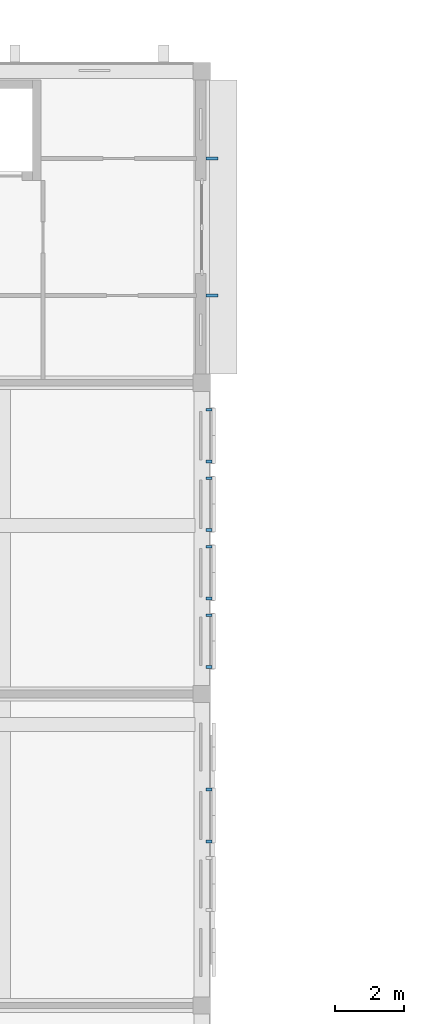
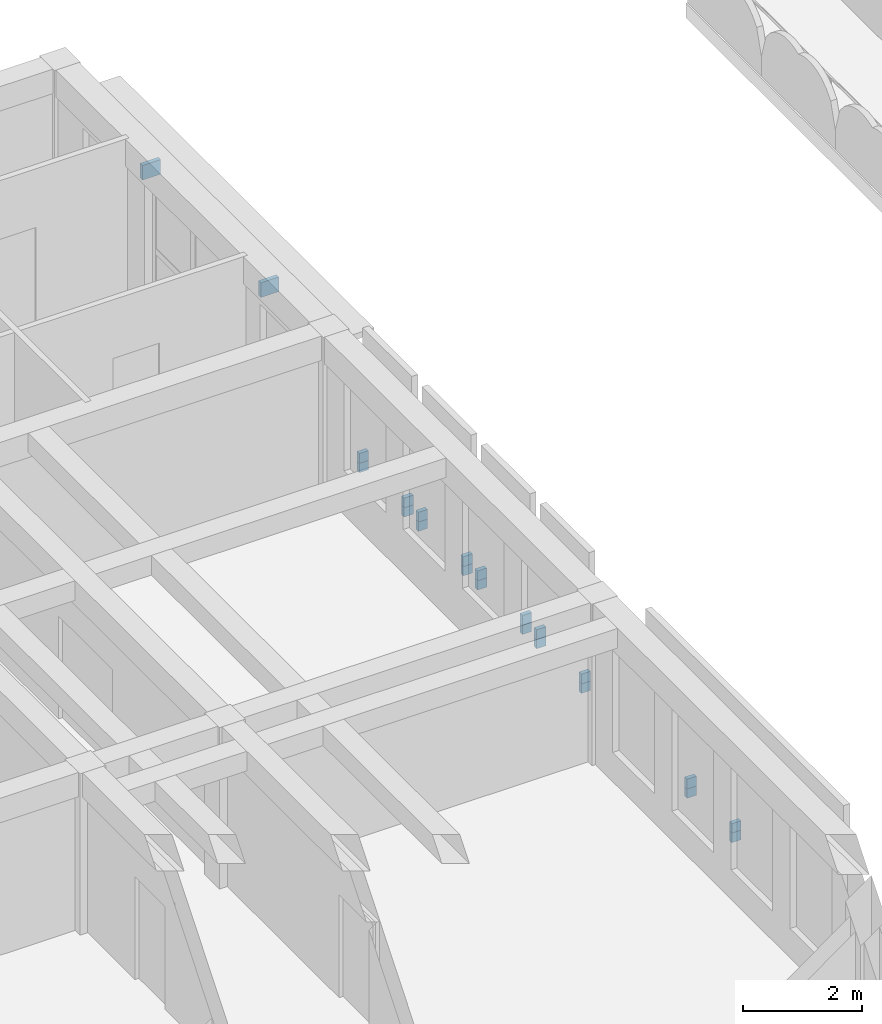
# One storey, part 39 of 50: 22 discrete accessories.
"""IFC4 building model written with IfcOpenShell, lengths in metres."""

from ifc_helpers import new_model, si_unit, direction, frame, origin, origin_2d, place, context, subcontext, project, spatial, rectangle, extrude, material, type_object, element, save


model = new_model("IFC4")

# Units and contexts
model_context = context("Model", 3, precision=1e-05, world=origin(), true_north=direction((0.0, 1.0)))
body_context = subcontext(model_context, "Body", "Model", "MODEL_VIEW")
ifc_project = project(units=[si_unit("LENGTHUNIT", "METRE"), si_unit("AREAUNIT", "SQUARE_METRE"), si_unit("VOLUMEUNIT", "CUBIC_METRE"), si_unit("PLANEANGLEUNIT", "RADIAN"), si_unit("MASSUNIT", "GRAM", prefix="KILO")], contexts=[model_context])

# Site, building, storey
site_placement = place(None, origin())
site = spatial("IfcSite", under=ifc_project, at=site_placement, CompositionType="ELEMENT")
building_placement = place(site_placement, origin())
building = spatial("IfcBuilding", under=site, at=building_placement, Name="Elbe Cascade School", CompositionType="ELEMENT")
storey_placement = place(building_placement, frame((0.0, 0.0, 15.300048828125)))
storey = spatial("IfcBuildingStorey", under=building, at=storey_placement, Name="L04", CompositionType="ELEMENT", Elevation=15.300048828125)

# Discrete accessories
ifc_material = material(Name="Steel S355J2, hot-dip galvanised", Category="steel")
discrete_accessory_type = type_object("IfcDiscreteAccessoryType", Name="Bars envelope Bracket, galvanised steel", PredefinedType="BRACKET", material=ifc_material)
for number, where, z_axis, x_axis, name in (
    (1, (86.31005859375, 37.739990234375, 0.75), (0.0, 0.0, 1.0), (0.0, 1.0, 0.0), "Bracket AC7 jali.e.4.br3ll"),
    (2, (86.31005859375, 37.739990234375, 0.93994140625), (0.0, 0.0, 1.0), (0.0, 1.0, 0.0), "Bracket AC7 jali.e.4.br3lu"),
    (3, (86.31005859375, 39.239990234375, 0.75), (0.0, 0.0, 1.0), (0.0, 1.0, 0.0), "Bracket AC7 jali.e.4.br3rl"),
    (4, (86.31005859375, 39.239990234375, 0.93994140625), (0.0, 0.0, 1.0), (0.0, 1.0, 0.0), "Bracket AC7 jali.e.4.br3ru"),
    (5, (86.31005859375, 42.780029296875, 0.75), (0.0, 0.0, 1.0), (0.0, 1.0, 0.0), "Bracket AC7 jali.e.5.br1ll"),
    (6, (86.31005859375, 42.780029296875, 0.93994140625), (0.0, 0.0, 1.0), (0.0, 1.0, 0.0), "Bracket AC7 jali.e.5.br1lu"),
    (7, (86.31005859375, 44.280029296875, 0.75), (0.0, 0.0, 1.0), (0.0, 1.0, 0.0), "Bracket AC7 jali.e.5.br1rl"),
    (8, (86.31005859375, 44.280029296875, 0.93994140625), (0.0, 0.0, 1.0), (0.0, 1.0, 0.0), "Bracket AC7 jali.e.5.br1ru"),
    (9, (86.31005859375, 44.760009765625, 0.75), (0.0, 0.0, 1.0), (0.0, 1.0, 0.0), "Bracket AC7 jali.e.5.br2ll"),
    (10, (86.31005859375, 44.760009765625, 0.93994140625), (0.0, 0.0, 1.0), (0.0, 1.0, 0.0), "Bracket AC7 jali.e.5.br2lu"),
    (11, (86.31005859375, 46.260009765625, 0.75), (0.0, 0.0, 1.0), (0.0, 1.0, 0.0), "Bracket AC7 jali.e.5.br2rl"),
    (12, (86.31005859375, 46.260009765625, 0.93994140625), (0.0, 0.0, 1.0), (0.0, 1.0, 0.0), "Bracket AC7 jali.e.5.br2ru"),
    (13, (86.31005859375, 46.739990234375, 0.75), (0.0, 0.0, 1.0), (0.0, 1.0, 0.0), "Bracket AC7 jali.e.5.br3ll"),
    (14, (86.31005859375, 46.739990234375, 0.93994140625), (0.0, 0.0, 1.0), (0.0, 1.0, 0.0), "Bracket AC7 jali.e.5.br3lu"),
    (15, (86.31005859375, 48.239990234375, 0.75), (0.0, 0.0, 1.0), (0.0, 1.0, 0.0), "Bracket AC7 jali.e.5.br3rl"),
    (16, (86.31005859375, 48.239990234375, 0.93994140625), (0.0, 0.0, 1.0), (0.0, 1.0, 0.0), "Bracket AC7 jali.e.5.br3ru"),
    (17, (86.31005859375, 48.719970703125, 0.75), (0.0, 0.0, 1.0), (0.0, 1.0, 0.0), "Bracket AC7 jali.e.5.br4ll"),
    (18, (86.31005859375, 48.719970703125, 0.93994140625), (0.0, 0.0, 1.0), (0.0, 1.0, 0.0), "Bracket AC7 jali.e.5.br4lu"),
    (19, (86.31005859375, 50.219970703125, 0.75), (0.0, 0.0, 1.0), (0.0, 1.0, 0.0), "Bracket AC7 jali.e.5.br4rl"),
    (20, (86.31005859375, 50.219970703125, 0.93994140625), (0.0, 0.0, 1.0), (0.0, 1.0, 0.0), "Bracket AC7 jali.e.5.br4ru"),
):
    element("IfcDiscreteAccessory", number, at=place(storey_placement, frame(where, z_axis=z_axis, x_axis=x_axis)), inside=storey, type_object=discrete_accessory_type, Name=name, PredefinedType="BRACKET", context=body_context, shape_type="SweptSolid", body=[
        extrude(rectangle(XDim=0.080078125, YDim=0.179931640625, at=origin_2d()), origin(), (0.0, 0.0, 1.0), 0.199951171875),
    ])
for number, where, z_axis, x_axis, name in (
    (21, (86.39501953125, 53.52001953125, 2.330078125), (0.0, 0.0, 1.0), (0.0, 1.0, 0.0), "Bracket AC7 eave.e.6.br1"),
    (22, (86.39501953125, 57.47998046875, 2.330078125), (0.0, 0.0, 1.0), (0.0, 1.0, 0.0), "Bracket AC7 eave.e.6.br2"),
):
    element("IfcDiscreteAccessory", number, at=place(storey_placement, frame(where, z_axis=z_axis, x_axis=x_axis)), inside=storey, type_object=discrete_accessory_type, Name=name, PredefinedType="BRACKET", context=body_context, shape_type="SweptSolid", body=[
        extrude(rectangle(XDim=0.080078125, YDim=0.35009765625, at=origin_2d()), origin(), (0.0, 0.0, 1.0), 0.300048828125),
    ])

save(model, "model.ifc")
